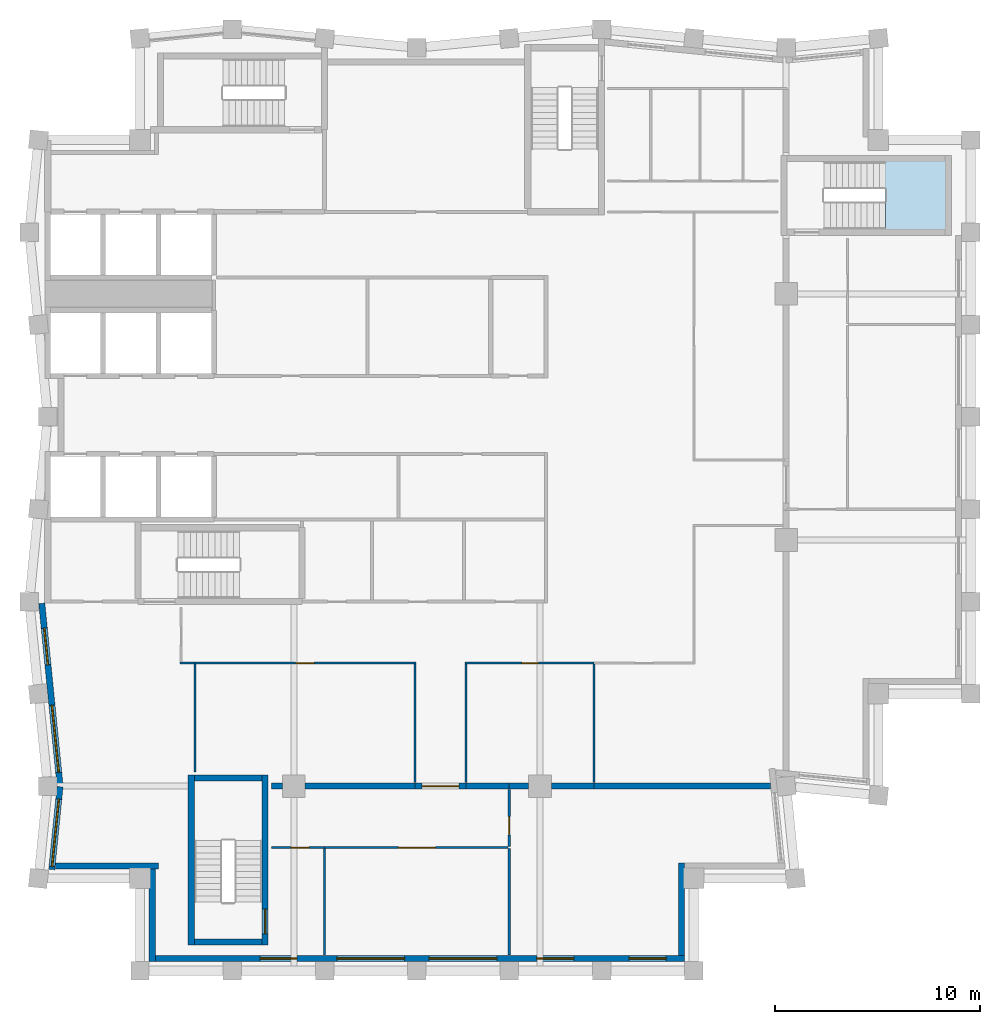
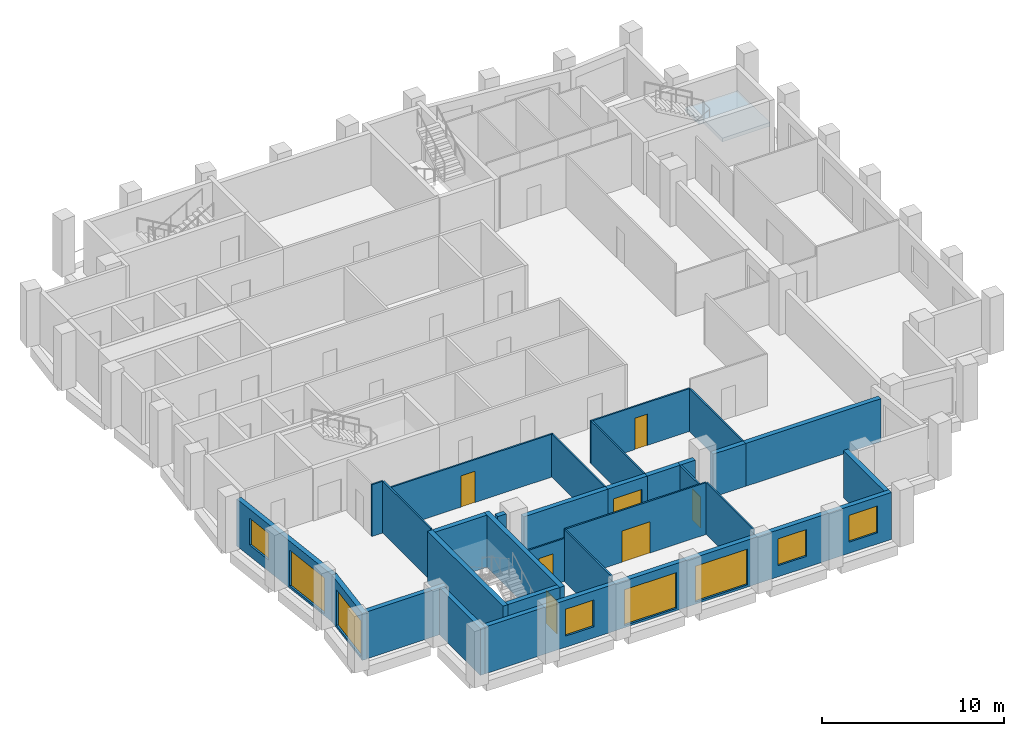
# One storey, part 2 of 7: 29 walls, 8 windows, 7 doors, 1 slab, 15 openings, 1 element without a shape of its own.
"""IFC4 building model written with IfcOpenShell, lengths in metres."""

from ifc_helpers import new_model, si_unit, direction, frame, frame_2d, origin, place, context, subcontext, project, spatial, polyline, rectangle, outline, extrude, material, layer, layer_set, type_object, element, fill, aggregate, save


model = new_model("IFC4")

# Units and contexts
model_context = context("Model", 3, precision=1e-05, world=origin(), true_north=direction((0.0, 1.0)))
body_context = subcontext(model_context, "Body", "Model", "MODEL_VIEW")
ifc_project = project(units=[si_unit("LENGTHUNIT", "METRE"), si_unit("AREAUNIT", "SQUARE_METRE"), si_unit("VOLUMEUNIT", "CUBIC_METRE"), si_unit("PLANEANGLEUNIT", "RADIAN"), si_unit("MASSUNIT", "GRAM", prefix="KILO")], contexts=[model_context])

# Site, building, storey
site_placement = place(None, origin())
site = spatial("IfcSite", under=ifc_project, at=site_placement, CompositionType="ELEMENT")
building_placement = place(site_placement, origin())
building = spatial("IfcBuilding", under=site, at=building_placement, Name="Brondeck Convention Tower", CompositionType="ELEMENT")
storey_placement = place(building_placement, frame((0.0, 0.0, 260.0)))
storey = spatial("IfcBuildingStorey", under=building, at=storey_placement, Name="L64", CompositionType="ELEMENT", Elevation=260.0)

# Stair, slab
ifc_material_1 = material(Name="Precast concrete C50/60", Category="concrete")
stair_type = type_object("IfcStairType", Name="Core stair 22 risers 172.73 mm riser 300 mm going 1350 wide", PredefinedType="HALF_TURN_STAIR", material=ifc_material_1)
stair_placement = place(storey_placement, origin())
stair = element("IfcStair", 1, at=stair_placement, inside=storey, type_object=stair_type, Name="ST-AE L64 stair", PredefinedType="HALF_TURN_STAIR")
ifc_layer_1 = layer(ifc_material_1, 0.25)
ifc_layer_set_1 = layer_set([ifc_layer_1], Name="Core stair landing 250 Precast concrete C50/60")
slab_type = type_object("IfcSlabType", Name="Core stair landing 250 Precast concrete C50/60", PredefinedType="LANDING", material=ifc_layer_set_1)
slab_placement = place(storey_placement, frame((0.0, 0.0, 1.64990234375)))
slab = element("IfcSlab", 2, at=slab_placement, type_object=slab_type, Name="ST-AE landing 1", PredefinedType="LANDING", context=body_context, shape_type="SweptSolid", body=[
    extrude(outline(polyline([(40.847900390625, 55.5), (40.85009765625, 55.5), (40.85009765625, 56.10009765625), (40.550048828125, 56.10009765625), (40.550048828125, 57.570068359375), (43.8701171875, 57.570068359375), (43.8701171875, 54.030029296875), (40.847900390625, 54.030029296875), (40.847900390625, 55.5)])), origin(), (0.0, 0.0, 1.0), 0.25),
])
aggregate(stair, [slab])

# Walls
ifc_material_2 = material(Name="Concrete compartment wall C30/37", Category="concrete")
ifc_layer_2 = layer(ifc_material_2, 0.300048828125)
ifc_layer_set_2 = layer_set([ifc_layer_2], Name="Compartment wall 300")
wall_type_1 = type_object("IfcWallType", Name="Compartment wall 300", PredefinedType="PARTITIONING", material=ifc_layer_set_2)
wall_1_placement = place(storey_placement, frame((10.89990234375, 27.0, 0.0), z_axis=(0.0, 0.0, 1.0), x_axis=(1.0, 0.0, 0.0)))
element("IfcWall", 3, at=wall_1_placement, inside=storey, type_object=wall_type_1, Name="FLR-L64-W011", PredefinedType="PARTITIONING", context=body_context, shape_type="SweptSolid", body=[
    extrude(rectangle(XDim=0.545166015625, YDim=0.300048828125, at=frame_2d((0.2724609375, 0.0))), origin(), (0.0, 0.0, 1.0), 3.47998046875),
])
wall_2_placement = place(storey_placement, frame((12.554931640625, 27.0, 0.0), z_axis=(0.0, 0.0, 1.0), x_axis=(1.0, 0.0, 0.0)))
element("IfcWall", 4, at=wall_2_placement, inside=storey, type_object=wall_type_1, Name="FLR-L64-W012", PredefinedType="PARTITIONING", context=body_context, shape_type="SweptSolid", body=[
    extrude(rectangle(XDim=5.344970703125, YDim=0.300048828125, at=frame_2d((2.67236328125, 0.0))), origin(), (0.0, 0.0, 1.0), 2.8798828125),
])

# Wall, opening, door
wall_3_placement = place(storey_placement, frame((20.39990234375, 27.0, 0.0), z_axis=(0.0, 0.0, 1.0), x_axis=(-1.0, 0.0, 0.0)))
wall_3 = element("IfcWall", 5, at=wall_3_placement, inside=storey, type_object=wall_type_1, Name="FLR-L64-W013", PredefinedType="PARTITIONING", context=body_context, shape_type="SweptSolid", body=[
    extrude(rectangle(XDim=2.5, YDim=0.300048828125, at=frame_2d((1.25, 0.0))), origin(), (0.0, 0.0, 1.0), 2.8798828125),
])
opening_1_placement = place(wall_3_placement, frame((0.35009765625, 0.0, 0.0)))
opening_1 = element("IfcOpeningElement", 6, at=opening_1_placement, cuts=wall_3, Name="Opening EX-B-018", PredefinedType="OPENING", context=body_context, shape_type="SweptSolid", body=[
    extrude(rectangle(XDim=1.800048828125, YDim=2.10009765625, at=frame_2d((0.89990234375, 1.050048828125))), frame((0.0, 0.159912109375, 0.0), z_axis=(0.0, -1.0, 0.0), x_axis=(1.0, 0.0, 0.0)), (0.0, 0.0, 1.0), 0.320068359375),
])
ifc_material_3 = material(Name="Steel fire door pair", Category="steel")
door_type_1 = type_object("IfcDoorType", Name="Fire door pair 1800", OperationType="DOUBLE_DOOR_SINGLE_SWING", PredefinedType="DOOR", material=ifc_material_3)
door_1_placement = place(opening_1_placement, origin())
door_1 = element("IfcDoor", 7, at=door_1_placement, inside=storey, type_object=door_type_1, Name="Door EX-B-018", OperationType="DOUBLE_DOOR_SINGLE_SWING", OverallHeight=2.10009765625, OverallWidth=1.800048828125, PredefinedType="DOOR", context=body_context, shape_type="SweptSolid", body=[
    extrude(rectangle(XDim=1.800048828125, YDim=2.10009765625, at=frame_2d((0.89990234375, 1.050048828125))), frame((0.0, 0.02490234375, 0.0), z_axis=(0.0, -1.0, 0.0), x_axis=(1.0, 0.0, 0.0)), (0.0, 0.0, 1.0), 0.050048828125),
])
fill(opening_1, door_1)

# Walls
wall_4_placement = place(storey_placement, frame((20.39990234375, 27.0, 0.0), z_axis=(0.0, 0.0, 1.0), x_axis=(1.0, 0.0, 0.0)))
element("IfcWall", 8, at=wall_4_placement, inside=storey, type_object=wall_type_1, Name="FLR-L64-W014", PredefinedType="PARTITIONING", context=body_context, shape_type="SweptSolid", body=[
    extrude(rectangle(XDim=2.10009765625, YDim=0.300048828125, at=frame_2d((1.050048828125, 0.0))), origin(), (0.0, 0.0, 1.0), 2.8798828125),
])
wall_5_placement = place(storey_placement, frame((22.5, 27.0, 0.0), z_axis=(0.0, 0.0, 1.0), x_axis=(1.0, 0.0, 0.0)))
element("IfcWall", 9, at=wall_5_placement, inside=storey, type_object=wall_type_1, Name="FLR-L64-W015", PredefinedType="PARTITIONING", context=body_context, shape_type="SweptSolid", body=[
    extrude(rectangle(XDim=0.945068359375, YDim=0.300048828125, at=frame_2d((0.47265625, 0.0))), origin(), (0.0, 0.0, 1.0), 2.8798828125),
])
wall_6_placement = place(storey_placement, frame((24.554931640625, 27.0, 0.0), z_axis=(0.0, 0.0, 1.0), x_axis=(1.0, 0.0, 0.0)))
element("IfcWall", 10, at=wall_6_placement, inside=storey, type_object=wall_type_1, Name="FLR-L64-W016", PredefinedType="PARTITIONING", context=body_context, shape_type="SweptSolid", body=[
    extrude(rectangle(XDim=2.0849609375, YDim=0.300048828125, at=frame_2d((1.04248046875, 0.0))), origin(), (0.0, 0.0, 1.0), 2.8798828125),
])
wall_7_placement = place(storey_placement, frame((26.639892578125, 27.0, 0.0), z_axis=(0.0, 0.0, 1.0), x_axis=(1.0, 0.0, 0.0)))
element("IfcWall", 11, at=wall_7_placement, inside=storey, type_object=wall_type_1, Name="FLR-L64-W017", PredefinedType="PARTITIONING", context=body_context, shape_type="SweptSolid", body=[
    extrude(rectangle(XDim=8.58642578125, YDim=0.300048828125, at=frame_2d((4.293212890625, 0.0))), origin(), (0.0, 0.0, 1.0), 2.8798828125),
])

# Wall, openings, windows
ifc_material_4 = material(Name="Precast concrete C50/60 bronze finish", Category="concrete")
ifc_layer_3 = layer(ifc_material_4, 0.070068359375, Name="Bronze precast facing")
ifc_material_5 = material(Name="Mineral wool")
ifc_layer_4 = layer(ifc_material_5, 0.159912109375, Name="Insulation")
ifc_material_6 = material(Name="Concrete C35/45", Category="concrete")
ifc_layer_5 = layer(ifc_material_6, 0.070068359375, Name="Backing")
ifc_layer_set_3 = layer_set([ifc_layer_3, ifc_layer_4, ifc_layer_5], Name="External infill wall, precast concrete C50/60 bronze facing")
wall_type_2 = type_object("IfcWallType", Name="External infill wall, precast concrete C50/60 bronze facing", PredefinedType="SOLIDWALL", material=ifc_layer_set_3)
wall_8_placement = place(storey_placement, frame((31.050048828125, 18.60009765625, 0.0), z_axis=(0.0, 0.0, 1.0), x_axis=(-1.0, 0.0, 0.0)))
wall_8 = element("IfcWall", 12, at=wall_8_placement, inside=storey, type_object=wall_type_2, Name="ENV-EW-L64-P3-B-S18-01", PredefinedType="SOLIDWALL", context=body_context, shape_type="SweptSolid", body=[
    extrude(rectangle(XDim=25.800048828125, YDim=0.300048828125, at=frame_2d((12.89990234375, 0.0))), origin(), (0.0, 0.0, 1.0), 3.14990234375),
])
opening_2_placement = place(wall_8_placement, frame((0.89990234375, 0.0, 0.75)))
opening_2 = element("IfcOpeningElement", 13, at=opening_2_placement, cuts=wall_8, Name="Opening W10", PredefinedType="OPENING", context=body_context, shape_type="SweptSolid", body=[
    extrude(rectangle(XDim=1.800048828125, YDim=1.800048828125, at=frame_2d((0.89990234375, 0.89990234375))), frame((0.0, 0.159912109375, 0.0), z_axis=(0.0, -1.0, 0.0), x_axis=(1.0, 0.0, 0.0)), (0.0, 0.0, 1.0), 0.320068359375),
])
opening_3_placement = place(wall_8_placement, frame((5.39990234375, 0.0, 0.75)))
opening_3 = element("IfcOpeningElement", 14, at=opening_3_placement, cuts=wall_8, Name="Opening W10", PredefinedType="OPENING", context=body_context, shape_type="SweptSolid", body=[
    extrude(rectangle(XDim=1.800048828125, YDim=1.800048828125, at=frame_2d((0.89990234375, 0.89990234375))), frame((0.0, 0.159912109375, 0.0), z_axis=(0.0, -1.0, 0.0), x_axis=(1.0, 0.0, 0.0)), (0.0, 0.0, 1.0), 0.320068359375),
])
opening_4_placement = place(wall_8_placement, frame((9.14990234375, 0.0, 0.14990234375)))
opening_4 = element("IfcOpeningElement", 15, at=opening_4_placement, cuts=wall_8, Name="Opening W9", PredefinedType="OPENING", context=body_context, shape_type="SweptSolid", body=[
    extrude(rectangle(XDim=3.300048828125, YDim=2.39990234375, at=frame_2d((1.64990234375, 1.199951171875))), frame((0.0, 0.159912109375, 0.0), z_axis=(0.0, -1.0, 0.0), x_axis=(1.0, 0.0, 0.0)), (0.0, 0.0, 1.0), 0.320068359375),
])
opening_5_placement = place(wall_8_placement, frame((13.64990234375, 0.0, 0.14990234375)))
opening_5 = element("IfcOpeningElement", 16, at=opening_5_placement, cuts=wall_8, Name="Opening W9", PredefinedType="OPENING", context=body_context, shape_type="SweptSolid", body=[
    extrude(rectangle(XDim=3.300048828125, YDim=2.39990234375, at=frame_2d((1.64990234375, 1.199951171875))), frame((0.0, 0.159912109375, 0.0), z_axis=(0.0, -1.0, 0.0), x_axis=(1.0, 0.0, 0.0)), (0.0, 0.0, 1.0), 0.320068359375),
])
opening_6_placement = place(wall_8_placement, frame((18.89990234375, 0.0, 0.75)))
opening_6 = element("IfcOpeningElement", 17, at=opening_6_placement, cuts=wall_8, Name="Opening W10", PredefinedType="OPENING", context=body_context, shape_type="SweptSolid", body=[
    extrude(rectangle(XDim=1.800048828125, YDim=1.800048828125, at=frame_2d((0.89990234375, 0.89990234375))), frame((0.0, 0.159912109375, 0.0), z_axis=(0.0, -1.0, 0.0), x_axis=(1.0, 0.0, 0.0)), (0.0, 0.0, 1.0), 0.320068359375),
])
ifc_material_7 = material(Name="Bronze tinted double glazing", Category="glass")
window_type_1 = type_object("IfcWindowType", Name="Glazed flute window, bronze tinted", PartitioningType="SINGLE_PANEL", PredefinedType="WINDOW", material=ifc_material_7)
window_1_placement = place(opening_4_placement, origin())
window_1 = element("IfcWindow", 18, at=window_1_placement, inside=storey, type_object=window_type_1, Name="ENV-WN-L64-P3-B-S18-04", OverallHeight=2.39990234375, OverallWidth=3.300048828125, PartitioningType="SINGLE_PANEL", PredefinedType="WINDOW", context=body_context, shape_type="SweptSolid", body=[
    extrude(rectangle(XDim=3.300048828125, YDim=2.39990234375, at=frame_2d((1.64990234375, 1.199951171875))), frame((0.0, 0.030029296875, 0.0), z_axis=(0.0, -1.0, 0.0), x_axis=(1.0, 0.0, 0.0)), (0.0, 0.0, 1.0), 0.06005859375),
])
fill(opening_4, window_1)
window_2_placement = place(opening_5_placement, origin())
window_2 = element("IfcWindow", 19, at=window_2_placement, inside=storey, type_object=window_type_1, Name="ENV-WN-L64-P3-B-S18-03", OverallHeight=2.39990234375, OverallWidth=3.300048828125, PartitioningType="SINGLE_PANEL", PredefinedType="WINDOW", context=body_context, shape_type="SweptSolid", body=[
    extrude(rectangle(XDim=3.300048828125, YDim=2.39990234375, at=frame_2d((1.64990234375, 1.199951171875))), frame((0.0, 0.030029296875, 0.0), z_axis=(0.0, -1.0, 0.0), x_axis=(1.0, 0.0, 0.0)), (0.0, 0.0, 1.0), 0.06005859375),
])
fill(opening_5, window_2)
window_type_2 = type_object("IfcWindowType", Name="Punched window, bronze tinted", PartitioningType="SINGLE_PANEL", PredefinedType="WINDOW", material=ifc_material_7)
window_3_placement = place(opening_2_placement, origin())
window_3 = element("IfcWindow", 20, at=window_3_placement, inside=storey, type_object=window_type_2, Name="ENV-WN-L64-P3-B-S18-06", OverallHeight=1.800048828125, OverallWidth=1.800048828125, PartitioningType="SINGLE_PANEL", PredefinedType="WINDOW", context=body_context, shape_type="SweptSolid", body=[
    extrude(rectangle(XDim=1.800048828125, YDim=1.800048828125, at=frame_2d((0.89990234375, 0.89990234375))), frame((0.0, 0.030029296875, 0.0), z_axis=(0.0, -1.0, 0.0), x_axis=(1.0, 0.0, 0.0)), (0.0, 0.0, 1.0), 0.06005859375),
])
fill(opening_2, window_3)
window_4_placement = place(opening_3_placement, origin())
window_4 = element("IfcWindow", 21, at=window_4_placement, inside=storey, type_object=window_type_2, Name="ENV-WN-L64-P3-B-S18-05", OverallHeight=1.800048828125, OverallWidth=1.800048828125, PartitioningType="SINGLE_PANEL", PredefinedType="WINDOW", context=body_context, shape_type="SweptSolid", body=[
    extrude(rectangle(XDim=1.800048828125, YDim=1.800048828125, at=frame_2d((0.89990234375, 0.89990234375))), frame((0.0, 0.030029296875, 0.0), z_axis=(0.0, -1.0, 0.0), x_axis=(1.0, 0.0, 0.0)), (0.0, 0.0, 1.0), 0.06005859375),
])
fill(opening_3, window_4)
window_5_placement = place(opening_6_placement, origin())
window_5 = element("IfcWindow", 22, at=window_5_placement, inside=storey, type_object=window_type_2, Name="ENV-WN-L64-P3-B-S18-02", OverallHeight=1.800048828125, OverallWidth=1.800048828125, PartitioningType="SINGLE_PANEL", PredefinedType="WINDOW", context=body_context, shape_type="SweptSolid", body=[
    extrude(rectangle(XDim=1.800048828125, YDim=1.800048828125, at=frame_2d((0.89990234375, 0.89990234375))), frame((0.0, 0.030029296875, 0.0), z_axis=(0.0, -1.0, 0.0), x_axis=(1.0, 0.0, 0.0)), (0.0, 0.0, 1.0), 0.06005859375),
])
fill(opening_6, window_5)

# Wall
wall_9_placement = place(storey_placement, frame((30.89990234375, 23.25, 0.0), z_axis=(0.0, 0.0, 1.0), x_axis=(0.0, -1.0, 0.0)))
element("IfcWall", 23, at=wall_9_placement, inside=storey, type_object=wall_type_2, Name="ENV-EW-L64-P3-NC-SEB18-01", PredefinedType="SOLIDWALL", context=body_context, shape_type="SweptSolid", body=[
    extrude(rectangle(XDim=4.5, YDim=0.300048828125, at=frame_2d((2.25, 0.0))), origin(), (0.0, 0.0, 1.0), 3.14990234375),
])

# Wall, openings, windows
wall_10_placement = place(storey_placement, frame((0.6044921875, 26.985107421875, 0.0), z_axis=(0.0, 0.0, 1.0), x_axis=(-0.099509108728, 0.995036651225, 0.0)))
wall_10 = element("IfcWall", 24, at=wall_10_placement, inside=storey, type_object=wall_type_2, Name="ENV-EW-L64-P3-B-W-06", PredefinedType="SOLIDWALL", context=body_context, shape_type="SweptSolid", body=[
    extrude(rectangle(XDim=8.9697265625, YDim=0.300048828125, at=frame_2d((4.48486328125, 0.0))), origin(), (0.0, 0.0, 1.0), 3.14990234375),
])
opening_7_placement = place(wall_10_placement, frame((0.686279296875, 0.0, 0.14990234375)))
opening_7 = element("IfcOpeningElement", 25, at=opening_7_placement, cuts=wall_10, Name="Opening W9", PredefinedType="OPENING", context=body_context, shape_type="SweptSolid", body=[
    extrude(rectangle(XDim=3.300048828125, YDim=2.39990234375, at=frame_2d((1.64990234375, 1.199951171875))), frame((0.0, 0.159912109375, 0.0), z_axis=(0.0, -1.0, 0.0), x_axis=(1.0, 0.0, 0.0)), (0.0, 0.0, 1.0), 0.320068359375),
])
opening_8_placement = place(wall_10_placement, frame((5.95849609375, 0.0, 0.75)))
opening_8 = element("IfcOpeningElement", 26, at=opening_8_placement, cuts=wall_10, Name="Opening W10", PredefinedType="OPENING", context=body_context, shape_type="SweptSolid", body=[
    extrude(rectangle(XDim=1.800048828125, YDim=1.800048828125, at=frame_2d((0.89990234375, 0.89990234375))), frame((0.0, 0.159912109375, 0.0), z_axis=(0.0, -1.0, 0.0), x_axis=(1.0, 0.0, 0.0)), (0.0, 0.0, 1.0), 0.320068359375),
])
window_6_placement = place(opening_7_placement, origin())
window_6 = element("IfcWindow", 27, at=window_6_placement, inside=storey, type_object=window_type_1, Name="ENV-WN-L64-P3-B-W-07", OverallHeight=2.39990234375, OverallWidth=3.300048828125, PartitioningType="SINGLE_PANEL", PredefinedType="WINDOW", context=body_context, shape_type="SweptSolid", body=[
    extrude(rectangle(XDim=3.300048828125, YDim=2.39990234375, at=frame_2d((1.64990234375, 1.199951171875))), frame((0.0, 0.030029296875, 0.0), z_axis=(0.0, -1.0, 0.0), x_axis=(1.0, 0.0, 0.0)), (0.0, 0.0, 1.0), 0.06005859375),
])
fill(opening_7, window_6)
window_7_placement = place(opening_8_placement, origin())
window_7 = element("IfcWindow", 28, at=window_7_placement, inside=storey, type_object=window_type_2, Name="ENV-WN-L64-P3-B-W-06", OverallHeight=1.800048828125, OverallWidth=1.800048828125, PartitioningType="SINGLE_PANEL", PredefinedType="WINDOW", context=body_context, shape_type="SweptSolid", body=[
    extrude(rectangle(XDim=1.800048828125, YDim=1.800048828125, at=frame_2d((0.89990234375, 0.89990234375))), frame((0.0, 0.030029296875, 0.0), z_axis=(0.0, -1.0, 0.0), x_axis=(1.0, 0.0, 0.0)), (0.0, 0.0, 1.0), 0.06005859375),
])
fill(opening_8, window_7)

# Wall, opening, window
wall_11_placement = place(storey_placement, frame((0.196533203125, 22.93505859375, 0.0), z_axis=(0.0, 0.0, 1.0), x_axis=(0.09951564041, 0.995035997999, 0.0)))
wall_11 = element("IfcWall", 29, at=wall_11_placement, inside=storey, type_object=wall_type_2, Name="ENV-EW-L64-P3-B-W-08", PredefinedType="SOLIDWALL", context=body_context, shape_type="SweptSolid", body=[
    extrude(rectangle(XDim=4.05517578125, YDim=0.300048828125, at=frame_2d((2.027587890625, 0.0))), origin(), (0.0, 0.0, 1.0), 3.14990234375),
])
opening_9_placement = place(wall_11_placement, frame((0.14990234375, 0.0, 0.14990234375)))
opening_9 = element("IfcOpeningElement", 30, at=opening_9_placement, cuts=wall_11, Name="Opening W9", PredefinedType="OPENING", context=body_context, shape_type="SweptSolid", body=[
    extrude(rectangle(XDim=3.300048828125, YDim=2.39990234375, at=frame_2d((1.64990234375, 1.199951171875))), frame((0.0, 0.159912109375, 0.0), z_axis=(0.0, -1.0, 0.0), x_axis=(1.0, 0.0, 0.0)), (0.0, 0.0, 1.0), 0.320068359375),
])
window_8_placement = place(opening_9_placement, origin())
window_8 = element("IfcWindow", 31, at=window_8_placement, inside=storey, type_object=window_type_1, Name="ENV-WN-L64-P3-B-W-08", OverallHeight=2.39990234375, OverallWidth=3.300048828125, PartitioningType="SINGLE_PANEL", PredefinedType="WINDOW", context=body_context, shape_type="SweptSolid", body=[
    extrude(rectangle(XDim=3.300048828125, YDim=2.39990234375, at=frame_2d((1.64990234375, 1.199951171875))), frame((0.0, 0.030029296875, 0.0), z_axis=(0.0, -1.0, 0.0), x_axis=(1.0, 0.0, 0.0)), (0.0, 0.0, 1.0), 0.06005859375),
])
fill(opening_9, window_8)

# Walls
wall_12_placement = place(storey_placement, frame((5.39990234375, 23.10009765625, 0.0), z_axis=(0.0, 0.0, 1.0), x_axis=(-1.0, 0.0, 0.0)))
element("IfcWall", 32, at=wall_12_placement, inside=storey, type_object=wall_type_2, Name="ENV-EW-L64-P3-NC-SWB18-01", PredefinedType="SOLIDWALL", context=body_context, shape_type="SweptSolid", body=[
    extrude(rectangle(XDim=5.031005859375, YDim=0.300048828125, at=frame_2d((2.515625, 0.0))), origin(), (0.0, 0.0, 1.0), 3.14990234375),
])
wall_13_placement = place(storey_placement, frame((5.10009765625, 18.449951171875, 0.0), z_axis=(0.0, 0.0, 1.0), x_axis=(0.0, 1.0, 0.0)))
element("IfcWall", 33, at=wall_13_placement, inside=storey, type_object=wall_type_2, Name="ENV-EW-L64-P3-NC-SWB18-02", PredefinedType="SOLIDWALL", context=body_context, shape_type="SweptSolid", body=[
    extrude(rectangle(XDim=4.5, YDim=0.300048828125, at=frame_2d((2.25, 0.0))), origin(), (0.0, 0.0, 1.0), 3.14990234375),
])
ifc_material_8 = material(Name="Gypsum board partition on steel studs", Category="steel")
ifc_layer_6 = layer(ifc_material_8, 0.10009765625)
ifc_layer_set_4 = layer_set([ifc_layer_6], Name="Room partition 100")
wall_type_3 = type_object("IfcWallType", Name="Room partition 100", PredefinedType="PARTITIONING", material=ifc_layer_set_4)
for number, where, z_axis, x_axis, name in (
    (34, (13.5, 18.77001953125, 0.0), (0.0, 0.0, 1.0), (0.0, 1.0, 0.0), "FLR-L64-W001"),
    (35, (22.5, 23.949951171875, 0.0), (0.0, 0.0, 1.0), (0.0, -1.0, 0.0), "FLR-L64-W006"),
):
    element("IfcWall", number, at=place(storey_placement, frame(where, z_axis=z_axis, x_axis=x_axis)), inside=storey, type_object=wall_type_3, Name=name, PredefinedType="PARTITIONING", context=body_context, shape_type="SweptSolid", body=[
        extrude(rectangle(XDim=5.179931640625, YDim=0.10009765625, at=frame_2d((2.58984375, 0.0))), origin(), (0.0, 0.0, 1.0), 3.47998046875),
    ])

# Wall, opening, door
wall_14_placement = place(storey_placement, frame((13.5, 24.0, 0.0), z_axis=(0.0, 0.0, 1.0), x_axis=(-1.0, 0.0, 0.0)))
wall_14 = element("IfcWall", 36, at=wall_14_placement, inside=storey, type_object=wall_type_3, Name="FLR-L64-W007", PredefinedType="PARTITIONING", context=body_context, shape_type="SweptSolid", body=[
    extrude(rectangle(XDim=2.60009765625, YDim=0.10009765625, at=frame_2d((1.300048828125, 0.0))), origin(), (0.0, 0.0, 1.0), 2.8798828125),
])
opening_10_placement = place(wall_14_placement, frame((0.75, 0.0, 0.0)))
opening_10 = element("IfcOpeningElement", 37, at=opening_10_placement, cuts=wall_14, Name="Opening EX-B-005", PredefinedType="OPENING", context=body_context, shape_type="SweptSolid", body=[
    extrude(rectangle(XDim=0.89990234375, YDim=2.10009765625, at=frame_2d((0.449951171875, 1.050048828125))), frame((0.0, 0.06005859375, 0.0), z_axis=(0.0, -1.0, 0.0), x_axis=(1.0, 0.0, 0.0)), (0.0, 0.0, 1.0), 0.1201171875),
])
ifc_material_9 = material(Name="Solid timber door leaf", Category="wood")
door_type_2 = type_object("IfcDoorType", Name="Single door 900", OperationType="NOTDEFINED", PredefinedType="DOOR", material=ifc_material_9)
door_2_placement = place(opening_10_placement, origin())
door_2 = element("IfcDoor", 38, at=door_2_placement, inside=storey, type_object=door_type_2, Name="Door EX-B-005", OperationType="SINGLE_SWING_LEFT", OverallHeight=2.10009765625, OverallWidth=0.89990234375, PredefinedType="DOOR", context=body_context, shape_type="SweptSolid", body=[
    extrude(rectangle(XDim=0.89990234375, YDim=2.10009765625, at=frame_2d((0.449951171875, 1.050048828125))), frame((0.0, 0.02490234375, 0.0), z_axis=(0.0, -1.0, 0.0), x_axis=(1.0, 0.0, 0.0)), (0.0, 0.0, 1.0), 0.050048828125),
])
fill(opening_10, door_2)

wall_15_placement = place(storey_placement, frame((22.449951171875, 24.0, 0.0), z_axis=(0.0, 0.0, 1.0), x_axis=(-1.0, 0.0, 0.0)))
wall_15 = element("IfcWall", 39, at=wall_15_placement, inside=storey, type_object=wall_type_3, Name="FLR-L64-W008", PredefinedType="PARTITIONING", context=body_context, shape_type="SweptSolid", body=[
    extrude(rectangle(XDim=8.949951171875, YDim=0.10009765625, at=frame_2d((4.47509765625, 0.0))), origin(), (0.0, 0.0, 1.0), 3.47998046875),
])
opening_11_placement = place(wall_15_placement, frame((3.550048828125, 0.0, 0.0)))
opening_11 = element("IfcOpeningElement", 40, at=opening_11_placement, cuts=wall_15, Name="Opening EX-B-004", PredefinedType="OPENING", context=body_context, shape_type="SweptSolid", body=[
    extrude(rectangle(XDim=1.800048828125, YDim=2.10009765625, at=frame_2d((0.89990234375, 1.050048828125))), frame((0.0, 0.06005859375, 0.0), z_axis=(0.0, -1.0, 0.0), x_axis=(1.0, 0.0, 0.0)), (0.0, 0.0, 1.0), 0.1201171875),
])
ifc_material_10 = material(Name="Glazed timber double door", Category="wood")
door_type_3 = type_object("IfcDoorType", Name="Double door 1800", OperationType="DOUBLE_DOOR_SINGLE_SWING", PredefinedType="DOOR", material=ifc_material_10)
door_3_placement = place(opening_11_placement, origin())
door_3 = element("IfcDoor", 41, at=door_3_placement, inside=storey, type_object=door_type_3, Name="Door EX-B-004", OperationType="DOUBLE_DOOR_SINGLE_SWING", OverallHeight=2.10009765625, OverallWidth=1.800048828125, PredefinedType="DOOR", context=body_context, shape_type="SweptSolid", body=[
    extrude(rectangle(XDim=1.800048828125, YDim=2.10009765625, at=frame_2d((0.89990234375, 1.050048828125))), frame((0.0, 0.02490234375, 0.0), z_axis=(0.0, -1.0, 0.0), x_axis=(1.0, 0.0, 0.0)), (0.0, 0.0, 1.0), 0.050048828125),
])
fill(opening_11, door_3)

wall_16_placement = place(storey_placement, frame((22.5, 26.830078125, 0.0), z_axis=(0.0, 0.0, 1.0), x_axis=(0.0, -1.0, 0.0)))
wall_16 = element("IfcWall", 42, at=wall_16_placement, inside=storey, type_object=wall_type_3, Name="FLR-L64-W009", PredefinedType="PARTITIONING", context=body_context, shape_type="SweptSolid", body=[
    extrude(rectangle(XDim=2.780029296875, YDim=0.10009765625, at=frame_2d((1.39013671875, 0.0))), origin(), (0.0, 0.0, 1.0), 2.8798828125),
])
opening_12_placement = place(wall_16_placement, frame((1.31005859375, 0.0, 0.0)))
opening_12 = element("IfcOpeningElement", 43, at=opening_12_placement, cuts=wall_16, Name="Opening EX-B-006", PredefinedType="OPENING", context=body_context, shape_type="SweptSolid", body=[
    extrude(rectangle(XDim=0.89990234375, YDim=2.10009765625, at=frame_2d((0.449951171875, 1.050048828125))), frame((0.0, 0.06005859375, 0.0), z_axis=(0.0, -1.0, 0.0), x_axis=(1.0, 0.0, 0.0)), (0.0, 0.0, 1.0), 0.1201171875),
])
door_4_placement = place(opening_12_placement, origin())
door_4 = element("IfcDoor", 44, at=door_4_placement, inside=storey, type_object=door_type_2, Name="Door EX-B-006", OperationType="SINGLE_SWING_LEFT", OverallHeight=2.10009765625, OverallWidth=0.89990234375, PredefinedType="DOOR", context=body_context, shape_type="SweptSolid", body=[
    extrude(rectangle(XDim=0.89990234375, YDim=2.10009765625, at=frame_2d((0.449951171875, 1.050048828125))), frame((0.0, 0.02490234375, 0.0), z_axis=(0.0, -1.0, 0.0), x_axis=(1.0, 0.0, 0.0)), (0.0, 0.0, 1.0), 0.050048828125),
])
fill(opening_12, door_4)

# Walls
wall_17_placement = place(storey_placement, frame((17.89990234375, 27.169921875, 0.0), z_axis=(0.0, 0.0, 1.0), x_axis=(0.0, 1.0, 0.0)))
element("IfcWall", 45, at=wall_17_placement, inside=storey, type_object=wall_type_3, Name="FLR-L64-W018", PredefinedType="PARTITIONING", context=body_context, shape_type="SweptSolid", body=[
    extrude(rectangle(XDim=5.780029296875, YDim=0.10009765625, at=frame_2d((2.89013671875, 0.0))), origin(), (0.0, 0.0, 1.0), 2.8798828125),
])
wall_18_placement = place(storey_placement, frame((7.172119140625, 32.949951171875, 0.0), z_axis=(0.0, 0.0, 1.0), x_axis=(0.0, -1.0, 0.0)))
element("IfcWall", 46, at=wall_18_placement, inside=storey, type_object=wall_type_3, Name="FLR-L64-W022", PredefinedType="PARTITIONING", context=body_context, shape_type="SweptSolid", body=[
    extrude(rectangle(XDim=5.25, YDim=0.10009765625, at=frame_2d((2.625, 0.0))), origin(), (0.0, 0.0, 1.0), 3.47998046875),
])
for number, where, z_axis, x_axis, name in (
    (47, (20.39990234375, 32.949951171875, 0.0), (0.0, 0.0, 1.0), (0.0, -1.0, 0.0), "FLR-L64-W023"),
    (48, (26.639892578125, 32.949951171875, 0.0), (0.0, 0.0, 1.0), (0.0, -1.0, 0.0), "FLR-L64-W024"),
):
    element("IfcWall", number, at=place(storey_placement, frame(where, z_axis=z_axis, x_axis=x_axis)), inside=storey, type_object=wall_type_3, Name=name, PredefinedType="PARTITIONING", context=body_context, shape_type="SweptSolid", body=[
        extrude(rectangle(XDim=5.780029296875, YDim=0.10009765625, at=frame_2d((2.89013671875, 0.0))), origin(), (0.0, 0.0, 1.0), 2.8798828125),
    ])
wall_19_placement = place(storey_placement, frame((7.172119140625, 33.0, 0.0), z_axis=(0.0, 0.0, 1.0), x_axis=(-1.0, 0.0, 0.0)))
element("IfcWall", 49, at=wall_19_placement, inside=storey, type_object=wall_type_3, Name="FLR-L64-W025", PredefinedType="PARTITIONING", context=body_context, shape_type="SweptSolid", body=[
    extrude(rectangle(XDim=0.72216796875, YDim=0.10009765625, at=frame_2d((0.361083984375, 0.0))), origin(), (0.0, 0.0, 1.0), 3.47998046875),
])

# Wall, opening, door
wall_20_placement = place(storey_placement, frame((17.949951171875, 33.0, 0.0), z_axis=(0.0, 0.0, 1.0), x_axis=(-1.0, 0.0, 0.0)))
wall_20 = element("IfcWall", 50, at=wall_20_placement, inside=storey, type_object=wall_type_3, Name="FLR-L64-W026", PredefinedType="PARTITIONING", context=body_context, shape_type="SweptSolid", body=[
    extrude(rectangle(XDim=10.77783203125, YDim=0.10009765625, at=frame_2d((5.388916015625, 0.0))), origin(), (0.0, 0.0, 1.0), 2.8798828125),
])
opening_13_placement = place(wall_20_placement, frame((4.964111328125, 0.0, 0.0)))
opening_13 = element("IfcOpeningElement", 51, at=opening_13_placement, cuts=wall_20, Name="Opening EX-B-013", PredefinedType="OPENING", context=body_context, shape_type="SweptSolid", body=[
    extrude(rectangle(XDim=0.89990234375, YDim=2.10009765625, at=frame_2d((0.449951171875, 1.050048828125))), frame((0.0, 0.06005859375, 0.0), z_axis=(0.0, -1.0, 0.0), x_axis=(1.0, 0.0, 0.0)), (0.0, 0.0, 1.0), 0.1201171875),
])
door_5_placement = place(opening_13_placement, origin())
door_5 = element("IfcDoor", 52, at=door_5_placement, inside=storey, type_object=door_type_2, Name="Door EX-B-013", OperationType="SINGLE_SWING_LEFT", OverallHeight=2.10009765625, OverallWidth=0.89990234375, PredefinedType="DOOR", context=body_context, shape_type="SweptSolid", body=[
    extrude(rectangle(XDim=0.89990234375, YDim=2.10009765625, at=frame_2d((0.449951171875, 1.050048828125))), frame((0.0, 0.02490234375, 0.0), z_axis=(0.0, -1.0, 0.0), x_axis=(1.0, 0.0, 0.0)), (0.0, 0.0, 1.0), 0.050048828125),
])
fill(opening_13, door_5)

wall_21_placement = place(storey_placement, frame((26.639892578125, 33.0, 0.0), z_axis=(0.0, 0.0, 1.0), x_axis=(-1.0, 0.0, 0.0)))
wall_21 = element("IfcWall", 53, at=wall_21_placement, inside=storey, type_object=wall_type_3, Name="FLR-L64-W027", PredefinedType="PARTITIONING", context=body_context, shape_type="SweptSolid", body=[
    extrude(rectangle(XDim=6.289794921875, YDim=0.10009765625, at=frame_2d((3.14501953125, 0.0))), origin(), (0.0, 0.0, 1.0), 2.8798828125),
])
opening_14_placement = place(wall_21_placement, frame((2.719970703125, 0.0, 0.0)))
opening_14 = element("IfcOpeningElement", 54, at=opening_14_placement, cuts=wall_21, Name="Opening EX-B-014", PredefinedType="OPENING", context=body_context, shape_type="SweptSolid", body=[
    extrude(rectangle(XDim=0.800048828125, YDim=2.10009765625, at=frame_2d((0.39990234375, 1.050048828125))), frame((0.0, 0.06005859375, 0.0), z_axis=(0.0, -1.0, 0.0), x_axis=(1.0, 0.0, 0.0)), (0.0, 0.0, 1.0), 0.1201171875),
])
door_type_4 = type_object("IfcDoorType", Name="En-suite door 800", OperationType="NOTDEFINED", PredefinedType="DOOR", material=ifc_material_9)
door_6_placement = place(opening_14_placement, origin())
door_6 = element("IfcDoor", 55, at=door_6_placement, inside=storey, type_object=door_type_4, Name="Door EX-B-014", OperationType="SINGLE_SWING_LEFT", OverallHeight=2.10009765625, OverallWidth=0.800048828125, PredefinedType="DOOR", context=body_context, shape_type="SweptSolid", body=[
    extrude(rectangle(XDim=0.800048828125, YDim=2.10009765625, at=frame_2d((0.39990234375, 1.050048828125))), frame((0.0, 0.02490234375, 0.0), z_axis=(0.0, -1.0, 0.0), x_axis=(1.0, 0.0, 0.0)), (0.0, 0.0, 1.0), 0.050048828125),
])
fill(opening_14, door_6)

# Walls
ifc_material_11 = material(Name="Concrete C50/60", Category="concrete")
ifc_layer_7 = layer(ifc_material_11, 0.300048828125)
ifc_layer_set_5 = layer_set([ifc_layer_7], Name="Stair enclosure wall 300 Concrete C50/60")
wall_type_4 = type_object("IfcWallType", Name="Stair enclosure wall 300 Concrete C50/60", PredefinedType="SHEAR", material=ifc_layer_set_5)
for number, where, z_axis, x_axis, name in (
    (56, (7.14990234375, 19.39990234375, 0.0), (0.0, 0.0, 1.0), (1.0, 0.0, 0.0), "L64 core wall"),
    (57, (7.14990234375, 27.39990234375, 0.0), (0.0, 0.0, 1.0), (1.0, 0.0, 0.0), "L64 core wall"),
):
    element("IfcWall", number, at=place(storey_placement, frame(where, z_axis=z_axis, x_axis=x_axis)), inside=storey, type_object=wall_type_4, Name=name, PredefinedType="SHEAR", context=body_context, shape_type="SweptSolid", body=[
        extrude(rectangle(XDim=3.300048828125, YDim=0.300048828125, at=frame_2d((1.64990234375, 0.0))), origin(), (0.0, 0.0, 1.0), 3.5),
    ])
wall_22_placement = place(storey_placement, frame((7.0, 19.25, 0.0), z_axis=(0.0, 0.0, 1.0), x_axis=(0.0, 1.0, 0.0)))
element("IfcWall", 58, at=wall_22_placement, inside=storey, type_object=wall_type_4, Name="L64 core wall", PredefinedType="SHEAR", context=body_context, shape_type="SweptSolid", body=[
    extrude(rectangle(XDim=8.300048828125, YDim=0.300048828125, at=frame_2d((4.14990234375, 0.0))), origin(), (0.0, 0.0, 1.0), 3.5),
])

# Wall, opening, door
wall_23_placement = place(storey_placement, frame((10.60009765625, 19.25, 0.0), z_axis=(0.0, 0.0, 1.0), x_axis=(0.0, 1.0, 0.0)))
wall_23 = element("IfcWall", 59, at=wall_23_placement, inside=storey, type_object=wall_type_4, Name="L64 core wall", PredefinedType="SHEAR", context=body_context, shape_type="SweptSolid", body=[
    extrude(rectangle(XDim=8.300048828125, YDim=0.300048828125, at=frame_2d((4.14990234375, 0.0))), origin(), (0.0, 0.0, 1.0), 3.5),
])
opening_15_placement = place(wall_23_placement, frame((0.550048828125, 0.0, 0.0)))
opening_15 = element("IfcOpeningElement", 60, at=opening_15_placement, cuts=wall_23, Name="Opening C36-16", PredefinedType="OPENING", context=body_context, shape_type="SweptSolid", body=[
    extrude(rectangle(XDim=1.199951171875, YDim=2.199951171875, at=frame_2d((0.60009765625, 1.10009765625))), frame((0.0, 0.159912109375, 0.0), z_axis=(0.0, -1.0, 0.0), x_axis=(1.0, 0.0, 0.0)), (0.0, 0.0, 1.0), 0.320068359375),
])
ifc_material_12 = material(Name="Steel fire door", Category="steel")
door_type_5 = type_object("IfcDoorType", Name="Stair door 1200x2200 EI 90", OperationType="NOTDEFINED", PredefinedType="DOOR", material=ifc_material_12)
door_7_placement = place(opening_15_placement, origin())
door_7 = element("IfcDoor", 61, at=door_7_placement, inside=storey, type_object=door_type_5, Name="L64 Stair door ST-BE", OperationType="SINGLE_SWING_RIGHT", OverallHeight=2.199951171875, OverallWidth=1.199951171875, PredefinedType="DOOR", context=body_context, shape_type="SweptSolid", body=[
    extrude(rectangle(XDim=1.199951171875, YDim=2.199951171875, at=frame_2d((0.60009765625, 1.10009765625))), frame((0.0, 0.02490234375, 0.0), z_axis=(0.0, -1.0, 0.0), x_axis=(1.0, 0.0, 0.0)), (0.0, 0.0, 1.0), 0.050048828125),
])
fill(opening_15, door_7)

save(model, "model.ifc")
